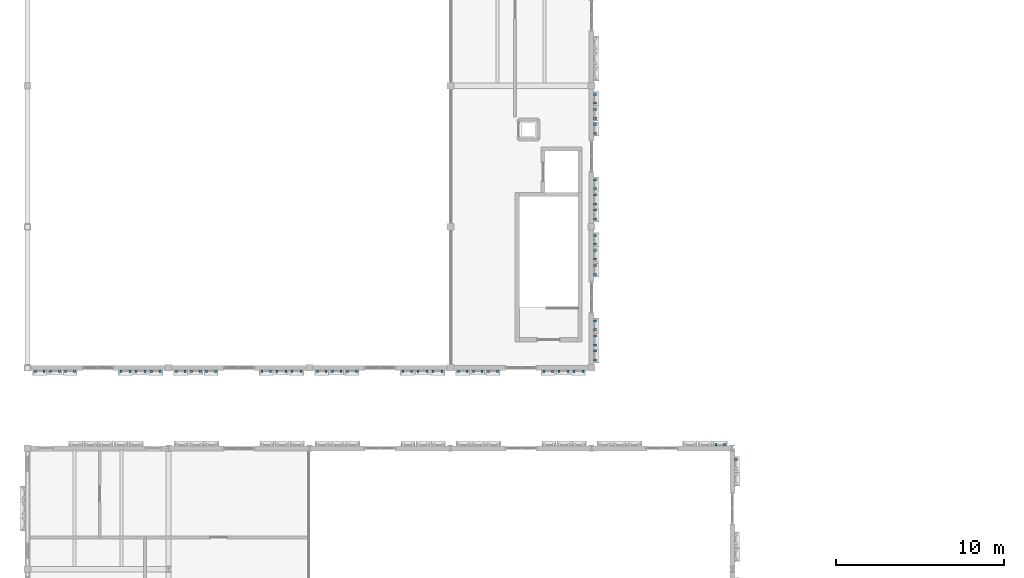
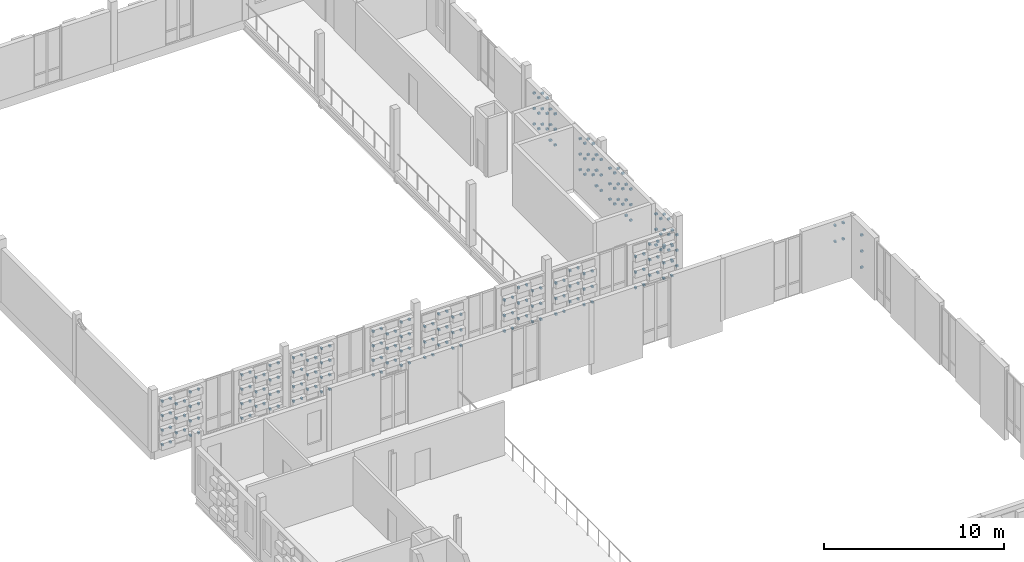
# One storey, part 69 of 81: 239 discrete accessories.
"""IFC4 building model written with IfcOpenShell, lengths in metres."""

from ifc_helpers import new_model, si_unit, direction, frame, origin, origin_2d, place, context, subcontext, project, spatial, rectangle, extrude, material, type_object, element, save


model = new_model("IFC4")

# Units and contexts
model_context = context("Model", 3, precision=1e-05, world=origin(), true_north=direction((0.0, 1.0)))
body_context = subcontext(model_context, "Body", "Model", "MODEL_VIEW")
ifc_project = project(units=[si_unit("LENGTHUNIT", "METRE"), si_unit("AREAUNIT", "SQUARE_METRE"), si_unit("VOLUMEUNIT", "CUBIC_METRE"), si_unit("PLANEANGLEUNIT", "RADIAN"), si_unit("MASSUNIT", "GRAM", prefix="KILO")], contexts=[model_context])

# Site, building, storey
site_placement = place(None, origin())
site = spatial("IfcSite", under=ifc_project, at=site_placement, CompositionType="ELEMENT")
building_placement = place(site_placement, origin())
building = spatial("IfcBuilding", under=site, at=building_placement, Name="Kahlenmark Community Centre", CompositionType="ELEMENT")
storey_placement = place(building_placement, frame((0.0, 0.0, 9.60009765625)))
storey = spatial("IfcBuildingStorey", under=building, at=storey_placement, Name="L02", CompositionType="ELEMENT", Elevation=9.60009765625)

# Discrete accessories
ifc_material = material(Name="Stainless steel 1.4401 rainscreen bracket", Category="steel")
discrete_accessory_type = type_object("IfcDiscreteAccessoryType", Name="DAT-BRACKET-TC", PredefinedType="BRACKET", material=ifc_material)
for number, where, z_axis, x_axis, name in (
    (1, (45.530029296875, 37.81005859375, 2.476806640625), (0.0, 0.0, 1.0), (-1.0, 0.0, 0.0), "Terracotta cassette bracket 2131.1"),
    (2, (45.010009765625, 37.81005859375, 2.476806640625), (0.0, 0.0, 1.0), (-1.0, 0.0, 0.0), "Terracotta cassette bracket 2131.2"),
    (3, (45.530029296875, 37.81005859375, 3.56884765625), (0.0, 0.0, 1.0), (-1.0, 0.0, 0.0), "Terracotta cassette bracket 2133.1"),
    (4, (45.010009765625, 37.81005859375, 3.56884765625), (0.0, 0.0, 1.0), (-1.0, 0.0, 0.0), "Terracotta cassette bracket 2133.2"),
    (5, (46.2099609375, 36.93994140625, 0.8388671875), (0.0, 0.0, 1.0), (0.0, 1.0, 0.0), "Terracotta cassette bracket 2311.2"),
    (6, (46.2099609375, 36.93994140625, 1.930908203125), (0.0, 0.0, 1.0), (0.0, 1.0, 0.0), "Terracotta cassette bracket 2313.2"),
    (7, (46.2099609375, 36.93994140625, 3.02294921875), (0.0, 0.0, 1.0), (0.0, 1.0, 0.0), "Terracotta cassette bracket 2315.2"),
    (8, (4.469970703125, 42.18994140625, 0.264892578125), (0.0, 0.0, 1.0), (1.0, 0.0, 0.0), "Terracotta cassette bracket 2317.1"),
    (9, (4.989990234375, 42.18994140625, 0.264892578125), (0.0, 0.0, 1.0), (1.0, 0.0, 0.0), "Terracotta cassette bracket 2317.2"),
    (10, (4.469970703125, 42.18994140625, 1.244873046875), (0.0, 0.0, 1.0), (1.0, 0.0, 0.0), "Terracotta cassette bracket 2319.1"),
    (11, (4.989990234375, 42.18994140625, 1.244873046875), (0.0, 0.0, 1.0), (1.0, 0.0, 0.0), "Terracotta cassette bracket 2319.2"),
    (12, (4.469970703125, 42.18994140625, 2.224853515625), (0.0, 0.0, 1.0), (1.0, 0.0, 0.0), "Terracotta cassette bracket 2321.1"),
    (13, (4.989990234375, 42.18994140625, 2.224853515625), (0.0, 0.0, 1.0), (1.0, 0.0, 0.0), "Terracotta cassette bracket 2321.2"),
    (14, (4.469970703125, 42.18994140625, 3.204833984375), (0.0, 0.0, 1.0), (1.0, 0.0, 0.0), "Terracotta cassette bracket 2323.1"),
    (15, (4.989990234375, 42.18994140625, 3.204833984375), (0.0, 0.0, 1.0), (1.0, 0.0, 0.0), "Terracotta cassette bracket 2323.2"),
    (16, (5.3701171875, 42.18994140625, 0.7548828125), (0.0, 0.0, 1.0), (1.0, 0.0, 0.0), "Terracotta cassette bracket 2325.1"),
    (17, (5.889892578125, 42.18994140625, 0.7548828125), (0.0, 0.0, 1.0), (1.0, 0.0, 0.0), "Terracotta cassette bracket 2325.2"),
    (18, (5.3701171875, 42.18994140625, 1.73486328125), (0.0, 0.0, 1.0), (1.0, 0.0, 0.0), "Terracotta cassette bracket 2327.1"),
    (19, (5.889892578125, 42.18994140625, 1.73486328125), (0.0, 0.0, 1.0), (1.0, 0.0, 0.0), "Terracotta cassette bracket 2327.2"),
    (20, (5.3701171875, 42.18994140625, 2.71484375), (0.0, 0.0, 1.0), (1.0, 0.0, 0.0), "Terracotta cassette bracket 2329.1"),
    (21, (5.889892578125, 42.18994140625, 2.71484375), (0.0, 0.0, 1.0), (1.0, 0.0, 0.0), "Terracotta cassette bracket 2329.2"),
    (22, (6.27001953125, 42.18994140625, 0.264892578125), (0.0, 0.0, 1.0), (1.0, 0.0, 0.0), "Terracotta cassette bracket 2331.1"),
    (23, (6.7900390625, 42.18994140625, 0.264892578125), (0.0, 0.0, 1.0), (1.0, 0.0, 0.0), "Terracotta cassette bracket 2331.2"),
    (24, (6.27001953125, 42.18994140625, 1.244873046875), (0.0, 0.0, 1.0), (1.0, 0.0, 0.0), "Terracotta cassette bracket 2333.1"),
    (25, (6.7900390625, 42.18994140625, 1.244873046875), (0.0, 0.0, 1.0), (1.0, 0.0, 0.0), "Terracotta cassette bracket 2333.2"),
    (26, (6.27001953125, 42.18994140625, 2.224853515625), (0.0, 0.0, 1.0), (1.0, 0.0, 0.0), "Terracotta cassette bracket 2335.1"),
    (27, (6.7900390625, 42.18994140625, 2.224853515625), (0.0, 0.0, 1.0), (1.0, 0.0, 0.0), "Terracotta cassette bracket 2335.2"),
    (28, (6.27001953125, 42.18994140625, 3.204833984375), (0.0, 0.0, 1.0), (1.0, 0.0, 0.0), "Terracotta cassette bracket 2337.1"),
    (29, (6.7900390625, 42.18994140625, 3.204833984375), (0.0, 0.0, 1.0), (1.0, 0.0, 0.0), "Terracotta cassette bracket 2337.2"),
    (30, (9.570068359375, 42.18994140625, 0.264892578125), (0.0, 0.0, 1.0), (1.0, 0.0, 0.0), "Terracotta cassette bracket 2338.1"),
    (31, (10.090087890625, 42.18994140625, 0.264892578125), (0.0, 0.0, 1.0), (1.0, 0.0, 0.0), "Terracotta cassette bracket 2338.2"),
    (32, (9.570068359375, 42.18994140625, 1.244873046875), (0.0, 0.0, 1.0), (1.0, 0.0, 0.0), "Terracotta cassette bracket 2340.1"),
    (33, (10.090087890625, 42.18994140625, 1.244873046875), (0.0, 0.0, 1.0), (1.0, 0.0, 0.0), "Terracotta cassette bracket 2340.2"),
    (34, (9.570068359375, 42.18994140625, 2.224853515625), (0.0, 0.0, 1.0), (1.0, 0.0, 0.0), "Terracotta cassette bracket 2342.1"),
    (35, (10.090087890625, 42.18994140625, 2.224853515625), (0.0, 0.0, 1.0), (1.0, 0.0, 0.0), "Terracotta cassette bracket 2342.2"),
    (36, (9.570068359375, 42.18994140625, 3.204833984375), (0.0, 0.0, 1.0), (1.0, 0.0, 0.0), "Terracotta cassette bracket 2344.1"),
    (37, (10.090087890625, 42.18994140625, 3.204833984375), (0.0, 0.0, 1.0), (1.0, 0.0, 0.0), "Terracotta cassette bracket 2344.2"),
    (38, (10.469970703125, 42.18994140625, 0.7548828125), (0.0, 0.0, 1.0), (1.0, 0.0, 0.0), "Terracotta cassette bracket 2346.1"),
    (39, (10.989990234375, 42.18994140625, 0.7548828125), (0.0, 0.0, 1.0), (1.0, 0.0, 0.0), "Terracotta cassette bracket 2346.2"),
    (40, (10.469970703125, 42.18994140625, 1.73486328125), (0.0, 0.0, 1.0), (1.0, 0.0, 0.0), "Terracotta cassette bracket 2348.1"),
    (41, (10.989990234375, 42.18994140625, 1.73486328125), (0.0, 0.0, 1.0), (1.0, 0.0, 0.0), "Terracotta cassette bracket 2348.2"),
    (42, (10.469970703125, 42.18994140625, 2.71484375), (0.0, 0.0, 1.0), (1.0, 0.0, 0.0), "Terracotta cassette bracket 2350.1"),
    (43, (10.989990234375, 42.18994140625, 2.71484375), (0.0, 0.0, 1.0), (1.0, 0.0, 0.0), "Terracotta cassette bracket 2350.2"),
    (44, (11.3701171875, 42.18994140625, 0.264892578125), (0.0, 0.0, 1.0), (1.0, 0.0, 0.0), "Terracotta cassette bracket 2352.1"),
    (45, (11.889892578125, 42.18994140625, 0.264892578125), (0.0, 0.0, 1.0), (1.0, 0.0, 0.0), "Terracotta cassette bracket 2352.2"),
    (46, (11.3701171875, 42.18994140625, 1.244873046875), (0.0, 0.0, 1.0), (1.0, 0.0, 0.0), "Terracotta cassette bracket 2354.1"),
    (47, (11.889892578125, 42.18994140625, 1.244873046875), (0.0, 0.0, 1.0), (1.0, 0.0, 0.0), "Terracotta cassette bracket 2354.2"),
    (48, (11.3701171875, 42.18994140625, 2.224853515625), (0.0, 0.0, 1.0), (1.0, 0.0, 0.0), "Terracotta cassette bracket 2356.1"),
    (49, (11.889892578125, 42.18994140625, 2.224853515625), (0.0, 0.0, 1.0), (1.0, 0.0, 0.0), "Terracotta cassette bracket 2356.2"),
    (50, (11.3701171875, 42.18994140625, 3.204833984375), (0.0, 0.0, 1.0), (1.0, 0.0, 0.0), "Terracotta cassette bracket 2358.1"),
    (51, (11.889892578125, 42.18994140625, 3.204833984375), (0.0, 0.0, 1.0), (1.0, 0.0, 0.0), "Terracotta cassette bracket 2358.2"),
    (52, (12.8701171875, 42.18994140625, 0.264892578125), (0.0, 0.0, 1.0), (1.0, 0.0, 0.0), "Terracotta cassette bracket 2359.1"),
    (53, (13.389892578125, 42.18994140625, 0.264892578125), (0.0, 0.0, 1.0), (1.0, 0.0, 0.0), "Terracotta cassette bracket 2359.2"),
    (54, (12.8701171875, 42.18994140625, 1.244873046875), (0.0, 0.0, 1.0), (1.0, 0.0, 0.0), "Terracotta cassette bracket 2361.1"),
    (55, (13.389892578125, 42.18994140625, 1.244873046875), (0.0, 0.0, 1.0), (1.0, 0.0, 0.0), "Terracotta cassette bracket 2361.2"),
    (56, (12.8701171875, 42.18994140625, 2.224853515625), (0.0, 0.0, 1.0), (1.0, 0.0, 0.0), "Terracotta cassette bracket 2363.1"),
    (57, (13.389892578125, 42.18994140625, 2.224853515625), (0.0, 0.0, 1.0), (1.0, 0.0, 0.0), "Terracotta cassette bracket 2363.2"),
    (58, (12.8701171875, 42.18994140625, 3.204833984375), (0.0, 0.0, 1.0), (1.0, 0.0, 0.0), "Terracotta cassette bracket 2365.1"),
    (59, (13.389892578125, 42.18994140625, 3.204833984375), (0.0, 0.0, 1.0), (1.0, 0.0, 0.0), "Terracotta cassette bracket 2365.2"),
    (60, (13.77001953125, 42.18994140625, 0.7548828125), (0.0, 0.0, 1.0), (1.0, 0.0, 0.0), "Terracotta cassette bracket 2367.1"),
    (61, (14.2900390625, 42.18994140625, 0.7548828125), (0.0, 0.0, 1.0), (1.0, 0.0, 0.0), "Terracotta cassette bracket 2367.2"),
    (62, (13.77001953125, 42.18994140625, 1.73486328125), (0.0, 0.0, 1.0), (1.0, 0.0, 0.0), "Terracotta cassette bracket 2369.1"),
    (63, (14.2900390625, 42.18994140625, 1.73486328125), (0.0, 0.0, 1.0), (1.0, 0.0, 0.0), "Terracotta cassette bracket 2369.2"),
    (64, (13.77001953125, 42.18994140625, 2.71484375), (0.0, 0.0, 1.0), (1.0, 0.0, 0.0), "Terracotta cassette bracket 2371.1"),
    (65, (14.2900390625, 42.18994140625, 2.71484375), (0.0, 0.0, 1.0), (1.0, 0.0, 0.0), "Terracotta cassette bracket 2371.2"),
    (66, (14.669921875, 42.18994140625, 0.264892578125), (0.0, 0.0, 1.0), (1.0, 0.0, 0.0), "Terracotta cassette bracket 2373.1"),
    (67, (15.18994140625, 42.18994140625, 0.264892578125), (0.0, 0.0, 1.0), (1.0, 0.0, 0.0), "Terracotta cassette bracket 2373.2"),
    (68, (14.669921875, 42.18994140625, 1.244873046875), (0.0, 0.0, 1.0), (1.0, 0.0, 0.0), "Terracotta cassette bracket 2375.1"),
    (69, (15.18994140625, 42.18994140625, 1.244873046875), (0.0, 0.0, 1.0), (1.0, 0.0, 0.0), "Terracotta cassette bracket 2375.2"),
    (70, (14.669921875, 42.18994140625, 2.224853515625), (0.0, 0.0, 1.0), (1.0, 0.0, 0.0), "Terracotta cassette bracket 2377.1"),
    (71, (15.18994140625, 42.18994140625, 2.224853515625), (0.0, 0.0, 1.0), (1.0, 0.0, 0.0), "Terracotta cassette bracket 2377.2"),
    (72, (14.669921875, 42.18994140625, 3.204833984375), (0.0, 0.0, 1.0), (1.0, 0.0, 0.0), "Terracotta cassette bracket 2379.1"),
    (73, (15.18994140625, 42.18994140625, 3.204833984375), (0.0, 0.0, 1.0), (1.0, 0.0, 0.0), "Terracotta cassette bracket 2379.2"),
    (74, (17.969970703125, 42.18994140625, 0.264892578125), (0.0, 0.0, 1.0), (1.0, 0.0, 0.0), "Terracotta cassette bracket 2380.1"),
    (75, (18.489990234375, 42.18994140625, 0.264892578125), (0.0, 0.0, 1.0), (1.0, 0.0, 0.0), "Terracotta cassette bracket 2380.2"),
    (76, (17.969970703125, 42.18994140625, 1.244873046875), (0.0, 0.0, 1.0), (1.0, 0.0, 0.0), "Terracotta cassette bracket 2382.1"),
    (77, (18.489990234375, 42.18994140625, 1.244873046875), (0.0, 0.0, 1.0), (1.0, 0.0, 0.0), "Terracotta cassette bracket 2382.2"),
    (78, (17.969970703125, 42.18994140625, 2.224853515625), (0.0, 0.0, 1.0), (1.0, 0.0, 0.0), "Terracotta cassette bracket 2384.1"),
    (79, (18.489990234375, 42.18994140625, 2.224853515625), (0.0, 0.0, 1.0), (1.0, 0.0, 0.0), "Terracotta cassette bracket 2384.2"),
    (80, (17.969970703125, 42.18994140625, 3.204833984375), (0.0, 0.0, 1.0), (1.0, 0.0, 0.0), "Terracotta cassette bracket 2386.1"),
    (81, (18.489990234375, 42.18994140625, 3.204833984375), (0.0, 0.0, 1.0), (1.0, 0.0, 0.0), "Terracotta cassette bracket 2386.2"),
    (82, (18.8701171875, 42.18994140625, 0.7548828125), (0.0, 0.0, 1.0), (1.0, 0.0, 0.0), "Terracotta cassette bracket 2388.1"),
    (83, (19.389892578125, 42.18994140625, 0.7548828125), (0.0, 0.0, 1.0), (1.0, 0.0, 0.0), "Terracotta cassette bracket 2388.2"),
    (84, (18.8701171875, 42.18994140625, 1.73486328125), (0.0, 0.0, 1.0), (1.0, 0.0, 0.0), "Terracotta cassette bracket 2390.1"),
    (85, (19.389892578125, 42.18994140625, 1.73486328125), (0.0, 0.0, 1.0), (1.0, 0.0, 0.0), "Terracotta cassette bracket 2390.2"),
    (86, (18.8701171875, 42.18994140625, 2.71484375), (0.0, 0.0, 1.0), (1.0, 0.0, 0.0), "Terracotta cassette bracket 2392.1"),
    (87, (19.389892578125, 42.18994140625, 2.71484375), (0.0, 0.0, 1.0), (1.0, 0.0, 0.0), "Terracotta cassette bracket 2392.2"),
    (88, (19.77001953125, 42.18994140625, 0.264892578125), (0.0, 0.0, 1.0), (1.0, 0.0, 0.0), "Terracotta cassette bracket 2394.1"),
    (89, (20.2900390625, 42.18994140625, 0.264892578125), (0.0, 0.0, 1.0), (1.0, 0.0, 0.0), "Terracotta cassette bracket 2394.2"),
    (90, (19.77001953125, 42.18994140625, 1.244873046875), (0.0, 0.0, 1.0), (1.0, 0.0, 0.0), "Terracotta cassette bracket 2396.1"),
    (91, (20.2900390625, 42.18994140625, 1.244873046875), (0.0, 0.0, 1.0), (1.0, 0.0, 0.0), "Terracotta cassette bracket 2396.2"),
    (92, (19.77001953125, 42.18994140625, 2.224853515625), (0.0, 0.0, 1.0), (1.0, 0.0, 0.0), "Terracotta cassette bracket 2398.1"),
    (93, (20.2900390625, 42.18994140625, 2.224853515625), (0.0, 0.0, 1.0), (1.0, 0.0, 0.0), "Terracotta cassette bracket 2398.2"),
    (94, (19.77001953125, 42.18994140625, 3.204833984375), (0.0, 0.0, 1.0), (1.0, 0.0, 0.0), "Terracotta cassette bracket 2400.1"),
    (95, (20.2900390625, 42.18994140625, 3.204833984375), (0.0, 0.0, 1.0), (1.0, 0.0, 0.0), "Terracotta cassette bracket 2400.2"),
    (96, (21.27001953125, 42.18994140625, 0.2822265625), (0.0, 0.0, 1.0), (1.0, 0.0, 0.0), "Terracotta cassette bracket 2401.1"),
    (97, (21.7900390625, 42.18994140625, 0.2822265625), (0.0, 0.0, 1.0), (1.0, 0.0, 0.0), "Terracotta cassette bracket 2401.2"),
    (98, (21.27001953125, 42.18994140625, 1.332275390625), (0.0, 0.0, 1.0), (1.0, 0.0, 0.0), "Terracotta cassette bracket 2403.1"),
    (99, (21.7900390625, 42.18994140625, 1.332275390625), (0.0, 0.0, 1.0), (1.0, 0.0, 0.0), "Terracotta cassette bracket 2403.2"),
    (100, (21.27001953125, 42.18994140625, 2.38232421875), (0.0, 0.0, 1.0), (1.0, 0.0, 0.0), "Terracotta cassette bracket 2405.1"),
    (101, (21.7900390625, 42.18994140625, 2.38232421875), (0.0, 0.0, 1.0), (1.0, 0.0, 0.0), "Terracotta cassette bracket 2405.2"),
    (102, (22.169921875, 42.18994140625, 0.807373046875), (0.0, 0.0, 1.0), (1.0, 0.0, 0.0), "Terracotta cassette bracket 2408.1"),
    (103, (22.68994140625, 42.18994140625, 0.807373046875), (0.0, 0.0, 1.0), (1.0, 0.0, 0.0), "Terracotta cassette bracket 2408.2"),
    (104, (22.169921875, 42.18994140625, 1.857421875), (0.0, 0.0, 1.0), (1.0, 0.0, 0.0), "Terracotta cassette bracket 2410.1"),
    (105, (22.68994140625, 42.18994140625, 1.857421875), (0.0, 0.0, 1.0), (1.0, 0.0, 0.0), "Terracotta cassette bracket 2410.2"),
    (106, (22.169921875, 42.18994140625, 2.9072265625), (0.0, 0.0, 1.0), (1.0, 0.0, 0.0), "Terracotta cassette bracket 2412.1"),
    (107, (22.68994140625, 42.18994140625, 2.9072265625), (0.0, 0.0, 1.0), (1.0, 0.0, 0.0), "Terracotta cassette bracket 2412.2"),
    (108, (23.070068359375, 42.18994140625, 0.2822265625), (0.0, 0.0, 1.0), (1.0, 0.0, 0.0), "Terracotta cassette bracket 2413.1"),
    (109, (23.590087890625, 42.18994140625, 0.2822265625), (0.0, 0.0, 1.0), (1.0, 0.0, 0.0), "Terracotta cassette bracket 2413.2"),
    (110, (23.070068359375, 42.18994140625, 1.332275390625), (0.0, 0.0, 1.0), (1.0, 0.0, 0.0), "Terracotta cassette bracket 2415.1"),
    (111, (23.590087890625, 42.18994140625, 1.332275390625), (0.0, 0.0, 1.0), (1.0, 0.0, 0.0), "Terracotta cassette bracket 2415.2"),
    (112, (23.070068359375, 42.18994140625, 2.38232421875), (0.0, 0.0, 1.0), (1.0, 0.0, 0.0), "Terracotta cassette bracket 2417.1"),
    (113, (23.590087890625, 42.18994140625, 2.38232421875), (0.0, 0.0, 1.0), (1.0, 0.0, 0.0), "Terracotta cassette bracket 2417.2"),
    (114, (26.3701171875, 42.18994140625, 0.2822265625), (0.0, 0.0, 1.0), (1.0, 0.0, 0.0), "Terracotta cassette bracket 2419.1"),
    (115, (26.889892578125, 42.18994140625, 0.2822265625), (0.0, 0.0, 1.0), (1.0, 0.0, 0.0), "Terracotta cassette bracket 2419.2"),
    (116, (26.3701171875, 42.18994140625, 1.332275390625), (0.0, 0.0, 1.0), (1.0, 0.0, 0.0), "Terracotta cassette bracket 2421.1"),
    (117, (26.889892578125, 42.18994140625, 1.332275390625), (0.0, 0.0, 1.0), (1.0, 0.0, 0.0), "Terracotta cassette bracket 2421.2"),
    (118, (26.3701171875, 42.18994140625, 2.38232421875), (0.0, 0.0, 1.0), (1.0, 0.0, 0.0), "Terracotta cassette bracket 2423.1"),
    (119, (26.889892578125, 42.18994140625, 2.38232421875), (0.0, 0.0, 1.0), (1.0, 0.0, 0.0), "Terracotta cassette bracket 2423.2"),
    (120, (27.27001953125, 42.18994140625, 0.807373046875), (0.0, 0.0, 1.0), (1.0, 0.0, 0.0), "Terracotta cassette bracket 2426.1"),
    (121, (27.7900390625, 42.18994140625, 0.807373046875), (0.0, 0.0, 1.0), (1.0, 0.0, 0.0), "Terracotta cassette bracket 2426.2"),
    (122, (27.27001953125, 42.18994140625, 1.857421875), (0.0, 0.0, 1.0), (1.0, 0.0, 0.0), "Terracotta cassette bracket 2428.1"),
    (123, (27.7900390625, 42.18994140625, 1.857421875), (0.0, 0.0, 1.0), (1.0, 0.0, 0.0), "Terracotta cassette bracket 2428.2"),
    (124, (27.27001953125, 42.18994140625, 2.9072265625), (0.0, 0.0, 1.0), (1.0, 0.0, 0.0), "Terracotta cassette bracket 2430.1"),
    (125, (27.7900390625, 42.18994140625, 2.9072265625), (0.0, 0.0, 1.0), (1.0, 0.0, 0.0), "Terracotta cassette bracket 2430.2"),
    (126, (28.169921875, 42.18994140625, 0.2822265625), (0.0, 0.0, 1.0), (1.0, 0.0, 0.0), "Terracotta cassette bracket 2431.1"),
    (127, (28.68994140625, 42.18994140625, 0.2822265625), (0.0, 0.0, 1.0), (1.0, 0.0, 0.0), "Terracotta cassette bracket 2431.2"),
    (128, (28.169921875, 42.18994140625, 1.332275390625), (0.0, 0.0, 1.0), (1.0, 0.0, 0.0), "Terracotta cassette bracket 2433.1"),
    (129, (28.68994140625, 42.18994140625, 1.332275390625), (0.0, 0.0, 1.0), (1.0, 0.0, 0.0), "Terracotta cassette bracket 2433.2"),
    (130, (28.169921875, 42.18994140625, 2.38232421875), (0.0, 0.0, 1.0), (1.0, 0.0, 0.0), "Terracotta cassette bracket 2435.1"),
    (131, (28.68994140625, 42.18994140625, 2.38232421875), (0.0, 0.0, 1.0), (1.0, 0.0, 0.0), "Terracotta cassette bracket 2435.2"),
    (132, (29.669921875, 42.18994140625, 0.2822265625), (0.0, 0.0, 1.0), (1.0, 0.0, 0.0), "Terracotta cassette bracket 2437.1"),
    (133, (30.18994140625, 42.18994140625, 0.2822265625), (0.0, 0.0, 1.0), (1.0, 0.0, 0.0), "Terracotta cassette bracket 2437.2"),
    (134, (29.669921875, 42.18994140625, 1.332275390625), (0.0, 0.0, 1.0), (1.0, 0.0, 0.0), "Terracotta cassette bracket 2439.1"),
    (135, (30.18994140625, 42.18994140625, 1.332275390625), (0.0, 0.0, 1.0), (1.0, 0.0, 0.0), "Terracotta cassette bracket 2439.2"),
    (136, (29.669921875, 42.18994140625, 2.38232421875), (0.0, 0.0, 1.0), (1.0, 0.0, 0.0), "Terracotta cassette bracket 2441.1"),
    (137, (30.18994140625, 42.18994140625, 2.38232421875), (0.0, 0.0, 1.0), (1.0, 0.0, 0.0), "Terracotta cassette bracket 2441.2"),
    (138, (30.570068359375, 42.18994140625, 0.807373046875), (0.0, 0.0, 1.0), (1.0, 0.0, 0.0), "Terracotta cassette bracket 2444.1"),
    (139, (31.090087890625, 42.18994140625, 0.807373046875), (0.0, 0.0, 1.0), (1.0, 0.0, 0.0), "Terracotta cassette bracket 2444.2"),
    (140, (30.570068359375, 42.18994140625, 1.857421875), (0.0, 0.0, 1.0), (1.0, 0.0, 0.0), "Terracotta cassette bracket 2446.1"),
    (141, (31.090087890625, 42.18994140625, 1.857421875), (0.0, 0.0, 1.0), (1.0, 0.0, 0.0), "Terracotta cassette bracket 2446.2"),
    (142, (30.570068359375, 42.18994140625, 2.9072265625), (0.0, 0.0, 1.0), (1.0, 0.0, 0.0), "Terracotta cassette bracket 2448.1"),
    (143, (31.090087890625, 42.18994140625, 2.9072265625), (0.0, 0.0, 1.0), (1.0, 0.0, 0.0), "Terracotta cassette bracket 2448.2"),
    (144, (31.469970703125, 42.18994140625, 0.2822265625), (0.0, 0.0, 1.0), (1.0, 0.0, 0.0), "Terracotta cassette bracket 2449.1"),
    (145, (31.989990234375, 42.18994140625, 0.2822265625), (0.0, 0.0, 1.0), (1.0, 0.0, 0.0), "Terracotta cassette bracket 2449.2"),
    (146, (31.469970703125, 42.18994140625, 1.332275390625), (0.0, 0.0, 1.0), (1.0, 0.0, 0.0), "Terracotta cassette bracket 2451.1"),
    (147, (31.989990234375, 42.18994140625, 1.332275390625), (0.0, 0.0, 1.0), (1.0, 0.0, 0.0), "Terracotta cassette bracket 2451.2"),
    (148, (31.469970703125, 42.18994140625, 2.38232421875), (0.0, 0.0, 1.0), (1.0, 0.0, 0.0), "Terracotta cassette bracket 2453.1"),
    (149, (31.989990234375, 42.18994140625, 2.38232421875), (0.0, 0.0, 1.0), (1.0, 0.0, 0.0), "Terracotta cassette bracket 2453.2"),
    (150, (34.77001953125, 42.18994140625, 0.2822265625), (0.0, 0.0, 1.0), (1.0, 0.0, 0.0), "Terracotta cassette bracket 2455.1"),
    (151, (35.2900390625, 42.18994140625, 0.2822265625), (0.0, 0.0, 1.0), (1.0, 0.0, 0.0), "Terracotta cassette bracket 2455.2"),
    (152, (34.77001953125, 42.18994140625, 1.332275390625), (0.0, 0.0, 1.0), (1.0, 0.0, 0.0), "Terracotta cassette bracket 2457.1"),
    (153, (35.2900390625, 42.18994140625, 1.332275390625), (0.0, 0.0, 1.0), (1.0, 0.0, 0.0), "Terracotta cassette bracket 2457.2"),
    (154, (34.77001953125, 42.18994140625, 2.38232421875), (0.0, 0.0, 1.0), (1.0, 0.0, 0.0), "Terracotta cassette bracket 2459.1"),
    (155, (35.2900390625, 42.18994140625, 2.38232421875), (0.0, 0.0, 1.0), (1.0, 0.0, 0.0), "Terracotta cassette bracket 2459.2"),
    (156, (35.669921875, 42.18994140625, 0.807373046875), (0.0, 0.0, 1.0), (1.0, 0.0, 0.0), "Terracotta cassette bracket 2462.1"),
    (157, (36.18994140625, 42.18994140625, 0.807373046875), (0.0, 0.0, 1.0), (1.0, 0.0, 0.0), "Terracotta cassette bracket 2462.2"),
    (158, (35.669921875, 42.18994140625, 1.857421875), (0.0, 0.0, 1.0), (1.0, 0.0, 0.0), "Terracotta cassette bracket 2464.1"),
    (159, (36.18994140625, 42.18994140625, 1.857421875), (0.0, 0.0, 1.0), (1.0, 0.0, 0.0), "Terracotta cassette bracket 2464.2"),
    (160, (35.669921875, 42.18994140625, 2.9072265625), (0.0, 0.0, 1.0), (1.0, 0.0, 0.0), "Terracotta cassette bracket 2466.1"),
    (161, (36.18994140625, 42.18994140625, 2.9072265625), (0.0, 0.0, 1.0), (1.0, 0.0, 0.0), "Terracotta cassette bracket 2466.2"),
    (162, (36.570068359375, 42.18994140625, 0.2822265625), (0.0, 0.0, 1.0), (1.0, 0.0, 0.0), "Terracotta cassette bracket 2467.1"),
    (163, (37.090087890625, 42.18994140625, 0.2822265625), (0.0, 0.0, 1.0), (1.0, 0.0, 0.0), "Terracotta cassette bracket 2467.2"),
    (164, (36.570068359375, 42.18994140625, 1.332275390625), (0.0, 0.0, 1.0), (1.0, 0.0, 0.0), "Terracotta cassette bracket 2469.1"),
    (165, (37.090087890625, 42.18994140625, 1.332275390625), (0.0, 0.0, 1.0), (1.0, 0.0, 0.0), "Terracotta cassette bracket 2469.2"),
    (166, (36.570068359375, 42.18994140625, 2.38232421875), (0.0, 0.0, 1.0), (1.0, 0.0, 0.0), "Terracotta cassette bracket 2471.1"),
    (167, (37.090087890625, 42.18994140625, 2.38232421875), (0.0, 0.0, 1.0), (1.0, 0.0, 0.0), "Terracotta cassette bracket 2471.2"),
    (168, (37.81005859375, 42.8701171875, 0.2822265625), (0.0, 0.0, 1.0), (0.0, 1.0, 0.0), "Terracotta cassette bracket 2623.1"),
    (169, (37.81005859375, 43.389892578125, 0.2822265625), (0.0, 0.0, 1.0), (0.0, 1.0, 0.0), "Terracotta cassette bracket 2623.2"),
    (170, (37.81005859375, 42.8701171875, 1.332275390625), (0.0, 0.0, 1.0), (0.0, 1.0, 0.0), "Terracotta cassette bracket 2625.1"),
    (171, (37.81005859375, 43.389892578125, 1.332275390625), (0.0, 0.0, 1.0), (0.0, 1.0, 0.0), "Terracotta cassette bracket 2625.2"),
    (172, (37.81005859375, 42.8701171875, 2.38232421875), (0.0, 0.0, 1.0), (0.0, 1.0, 0.0), "Terracotta cassette bracket 2627.1"),
    (173, (37.81005859375, 43.389892578125, 2.38232421875), (0.0, 0.0, 1.0), (0.0, 1.0, 0.0), "Terracotta cassette bracket 2627.2"),
    (174, (37.81005859375, 43.77001953125, 0.807373046875), (0.0, 0.0, 1.0), (0.0, 1.0, 0.0), "Terracotta cassette bracket 2630.1"),
    (175, (37.81005859375, 44.2900390625, 0.807373046875), (0.0, 0.0, 1.0), (0.0, 1.0, 0.0), "Terracotta cassette bracket 2630.2"),
    (176, (37.81005859375, 43.77001953125, 1.857421875), (0.0, 0.0, 1.0), (0.0, 1.0, 0.0), "Terracotta cassette bracket 2632.1"),
    (177, (37.81005859375, 44.2900390625, 1.857421875), (0.0, 0.0, 1.0), (0.0, 1.0, 0.0), "Terracotta cassette bracket 2632.2"),
    (178, (37.81005859375, 43.77001953125, 2.9072265625), (0.0, 0.0, 1.0), (0.0, 1.0, 0.0), "Terracotta cassette bracket 2634.1"),
    (179, (37.81005859375, 44.2900390625, 2.9072265625), (0.0, 0.0, 1.0), (0.0, 1.0, 0.0), "Terracotta cassette bracket 2634.2"),
    (180, (37.81005859375, 44.669921875, 0.2822265625), (0.0, 0.0, 1.0), (0.0, 1.0, 0.0), "Terracotta cassette bracket 2635.1"),
    (181, (37.81005859375, 45.18994140625, 0.2822265625), (0.0, 0.0, 1.0), (0.0, 1.0, 0.0), "Terracotta cassette bracket 2635.2"),
    (182, (37.81005859375, 44.669921875, 1.332275390625), (0.0, 0.0, 1.0), (0.0, 1.0, 0.0), "Terracotta cassette bracket 2637.1"),
    (183, (37.81005859375, 45.18994140625, 1.332275390625), (0.0, 0.0, 1.0), (0.0, 1.0, 0.0), "Terracotta cassette bracket 2637.2"),
    (184, (37.81005859375, 44.669921875, 2.38232421875), (0.0, 0.0, 1.0), (0.0, 1.0, 0.0), "Terracotta cassette bracket 2639.1"),
    (185, (37.81005859375, 45.18994140625, 2.38232421875), (0.0, 0.0, 1.0), (0.0, 1.0, 0.0), "Terracotta cassette bracket 2639.2"),
    (186, (37.81005859375, 47.969970703125, 0.2822265625), (0.0, 0.0, 1.0), (0.0, 1.0, 0.0), "Terracotta cassette bracket 2641.1"),
    (187, (37.81005859375, 48.489990234375, 0.2822265625), (0.0, 0.0, 1.0), (0.0, 1.0, 0.0), "Terracotta cassette bracket 2641.2"),
    (188, (37.81005859375, 47.969970703125, 1.332275390625), (0.0, 0.0, 1.0), (0.0, 1.0, 0.0), "Terracotta cassette bracket 2643.1"),
    (189, (37.81005859375, 48.489990234375, 1.332275390625), (0.0, 0.0, 1.0), (0.0, 1.0, 0.0), "Terracotta cassette bracket 2643.2"),
    (190, (37.81005859375, 47.969970703125, 2.38232421875), (0.0, 0.0, 1.0), (0.0, 1.0, 0.0), "Terracotta cassette bracket 2645.1"),
    (191, (37.81005859375, 48.489990234375, 2.38232421875), (0.0, 0.0, 1.0), (0.0, 1.0, 0.0), "Terracotta cassette bracket 2645.2"),
    (192, (37.81005859375, 48.8701171875, 0.807373046875), (0.0, 0.0, 1.0), (0.0, 1.0, 0.0), "Terracotta cassette bracket 2648.1"),
    (193, (37.81005859375, 49.389892578125, 0.807373046875), (0.0, 0.0, 1.0), (0.0, 1.0, 0.0), "Terracotta cassette bracket 2648.2"),
    (194, (37.81005859375, 48.8701171875, 1.857421875), (0.0, 0.0, 1.0), (0.0, 1.0, 0.0), "Terracotta cassette bracket 2650.1"),
    (195, (37.81005859375, 49.389892578125, 1.857421875), (0.0, 0.0, 1.0), (0.0, 1.0, 0.0), "Terracotta cassette bracket 2650.2"),
    (196, (37.81005859375, 48.8701171875, 2.9072265625), (0.0, 0.0, 1.0), (0.0, 1.0, 0.0), "Terracotta cassette bracket 2652.1"),
    (197, (37.81005859375, 49.389892578125, 2.9072265625), (0.0, 0.0, 1.0), (0.0, 1.0, 0.0), "Terracotta cassette bracket 2652.2"),
    (198, (37.81005859375, 49.77001953125, 0.2822265625), (0.0, 0.0, 1.0), (0.0, 1.0, 0.0), "Terracotta cassette bracket 2653.1"),
    (199, (37.81005859375, 50.2900390625, 0.2822265625), (0.0, 0.0, 1.0), (0.0, 1.0, 0.0), "Terracotta cassette bracket 2653.2"),
    (200, (37.81005859375, 49.77001953125, 1.332275390625), (0.0, 0.0, 1.0), (0.0, 1.0, 0.0), "Terracotta cassette bracket 2655.1"),
    (201, (37.81005859375, 50.2900390625, 1.332275390625), (0.0, 0.0, 1.0), (0.0, 1.0, 0.0), "Terracotta cassette bracket 2655.2"),
    (202, (37.81005859375, 49.77001953125, 2.38232421875), (0.0, 0.0, 1.0), (0.0, 1.0, 0.0), "Terracotta cassette bracket 2657.1"),
    (203, (37.81005859375, 50.2900390625, 2.38232421875), (0.0, 0.0, 1.0), (0.0, 1.0, 0.0), "Terracotta cassette bracket 2657.2"),
    (204, (37.81005859375, 51.27001953125, 0.2822265625), (0.0, 0.0, 1.0), (0.0, 1.0, 0.0), "Terracotta cassette bracket 2659.1"),
    (205, (37.81005859375, 51.7900390625, 0.2822265625), (0.0, 0.0, 1.0), (0.0, 1.0, 0.0), "Terracotta cassette bracket 2659.2"),
    (206, (37.81005859375, 51.27001953125, 1.332275390625), (0.0, 0.0, 1.0), (0.0, 1.0, 0.0), "Terracotta cassette bracket 2661.1"),
    (207, (37.81005859375, 51.7900390625, 1.332275390625), (0.0, 0.0, 1.0), (0.0, 1.0, 0.0), "Terracotta cassette bracket 2661.2"),
    (208, (37.81005859375, 51.27001953125, 2.38232421875), (0.0, 0.0, 1.0), (0.0, 1.0, 0.0), "Terracotta cassette bracket 2663.1"),
    (209, (37.81005859375, 51.7900390625, 2.38232421875), (0.0, 0.0, 1.0), (0.0, 1.0, 0.0), "Terracotta cassette bracket 2663.2"),
    (210, (37.81005859375, 52.169921875, 0.807373046875), (0.0, 0.0, 1.0), (0.0, 1.0, 0.0), "Terracotta cassette bracket 2666.1"),
    (211, (37.81005859375, 52.68994140625, 0.807373046875), (0.0, 0.0, 1.0), (0.0, 1.0, 0.0), "Terracotta cassette bracket 2666.2"),
    (212, (37.81005859375, 52.169921875, 1.857421875), (0.0, 0.0, 1.0), (0.0, 1.0, 0.0), "Terracotta cassette bracket 2668.1"),
    (213, (37.81005859375, 52.68994140625, 1.857421875), (0.0, 0.0, 1.0), (0.0, 1.0, 0.0), "Terracotta cassette bracket 2668.2"),
    (214, (37.81005859375, 52.169921875, 2.9072265625), (0.0, 0.0, 1.0), (0.0, 1.0, 0.0), "Terracotta cassette bracket 2670.1"),
    (215, (37.81005859375, 52.68994140625, 2.9072265625), (0.0, 0.0, 1.0), (0.0, 1.0, 0.0), "Terracotta cassette bracket 2670.2"),
    (216, (37.81005859375, 53.070068359375, 0.2822265625), (0.0, 0.0, 1.0), (0.0, 1.0, 0.0), "Terracotta cassette bracket 2671.1"),
    (217, (37.81005859375, 53.590087890625, 0.2822265625), (0.0, 0.0, 1.0), (0.0, 1.0, 0.0), "Terracotta cassette bracket 2671.2"),
    (218, (37.81005859375, 53.070068359375, 1.332275390625), (0.0, 0.0, 1.0), (0.0, 1.0, 0.0), "Terracotta cassette bracket 2673.1"),
    (219, (37.81005859375, 53.590087890625, 1.332275390625), (0.0, 0.0, 1.0), (0.0, 1.0, 0.0), "Terracotta cassette bracket 2673.2"),
    (220, (37.81005859375, 53.070068359375, 2.38232421875), (0.0, 0.0, 1.0), (0.0, 1.0, 0.0), "Terracotta cassette bracket 2675.1"),
    (221, (37.81005859375, 53.590087890625, 2.38232421875), (0.0, 0.0, 1.0), (0.0, 1.0, 0.0), "Terracotta cassette bracket 2675.2"),
    (222, (37.81005859375, 56.3701171875, 0.2822265625), (0.0, 0.0, 1.0), (0.0, 1.0, 0.0), "Terracotta cassette bracket 2677.1"),
    (223, (37.81005859375, 56.889892578125, 0.2822265625), (0.0, 0.0, 1.0), (0.0, 1.0, 0.0), "Terracotta cassette bracket 2677.2"),
    (224, (37.81005859375, 56.3701171875, 1.332275390625), (0.0, 0.0, 1.0), (0.0, 1.0, 0.0), "Terracotta cassette bracket 2679.1"),
    (225, (37.81005859375, 56.889892578125, 1.332275390625), (0.0, 0.0, 1.0), (0.0, 1.0, 0.0), "Terracotta cassette bracket 2679.2"),
    (226, (37.81005859375, 56.3701171875, 2.38232421875), (0.0, 0.0, 1.0), (0.0, 1.0, 0.0), "Terracotta cassette bracket 2681.1"),
    (227, (37.81005859375, 56.889892578125, 2.38232421875), (0.0, 0.0, 1.0), (0.0, 1.0, 0.0), "Terracotta cassette bracket 2681.2"),
    (228, (37.81005859375, 57.27001953125, 0.807373046875), (0.0, 0.0, 1.0), (0.0, 1.0, 0.0), "Terracotta cassette bracket 2684.1"),
    (229, (37.81005859375, 57.7900390625, 0.807373046875), (0.0, 0.0, 1.0), (0.0, 1.0, 0.0), "Terracotta cassette bracket 2684.2"),
    (230, (37.81005859375, 57.27001953125, 1.857421875), (0.0, 0.0, 1.0), (0.0, 1.0, 0.0), "Terracotta cassette bracket 2686.1"),
    (231, (37.81005859375, 57.7900390625, 1.857421875), (0.0, 0.0, 1.0), (0.0, 1.0, 0.0), "Terracotta cassette bracket 2686.2"),
    (232, (37.81005859375, 57.27001953125, 2.9072265625), (0.0, 0.0, 1.0), (0.0, 1.0, 0.0), "Terracotta cassette bracket 2688.1"),
    (233, (37.81005859375, 57.7900390625, 2.9072265625), (0.0, 0.0, 1.0), (0.0, 1.0, 0.0), "Terracotta cassette bracket 2688.2"),
    (234, (37.81005859375, 58.169921875, 0.2822265625), (0.0, 0.0, 1.0), (0.0, 1.0, 0.0), "Terracotta cassette bracket 2689.1"),
    (235, (37.81005859375, 58.68994140625, 0.2822265625), (0.0, 0.0, 1.0), (0.0, 1.0, 0.0), "Terracotta cassette bracket 2689.2"),
    (236, (37.81005859375, 58.169921875, 1.332275390625), (0.0, 0.0, 1.0), (0.0, 1.0, 0.0), "Terracotta cassette bracket 2691.1"),
    (237, (37.81005859375, 58.68994140625, 1.332275390625), (0.0, 0.0, 1.0), (0.0, 1.0, 0.0), "Terracotta cassette bracket 2691.2"),
    (238, (37.81005859375, 58.169921875, 2.38232421875), (0.0, 0.0, 1.0), (0.0, 1.0, 0.0), "Terracotta cassette bracket 2693.1"),
    (239, (37.81005859375, 58.68994140625, 2.38232421875), (0.0, 0.0, 1.0), (0.0, 1.0, 0.0), "Terracotta cassette bracket 2693.2"),
):
    element("IfcDiscreteAccessory", number, at=place(storey_placement, frame(where, z_axis=z_axis, x_axis=x_axis)), inside=storey, type_object=discrete_accessory_type, Name=name, PredefinedType="BRACKET", context=body_context, shape_type="SweptSolid", body=[
        extrude(rectangle(XDim=0.1201171875, YDim=0.159912109375, at=origin_2d()), origin(), (0.0, 0.0, 1.0), 0.1201171875),
    ])

save(model, "model.ifc")
